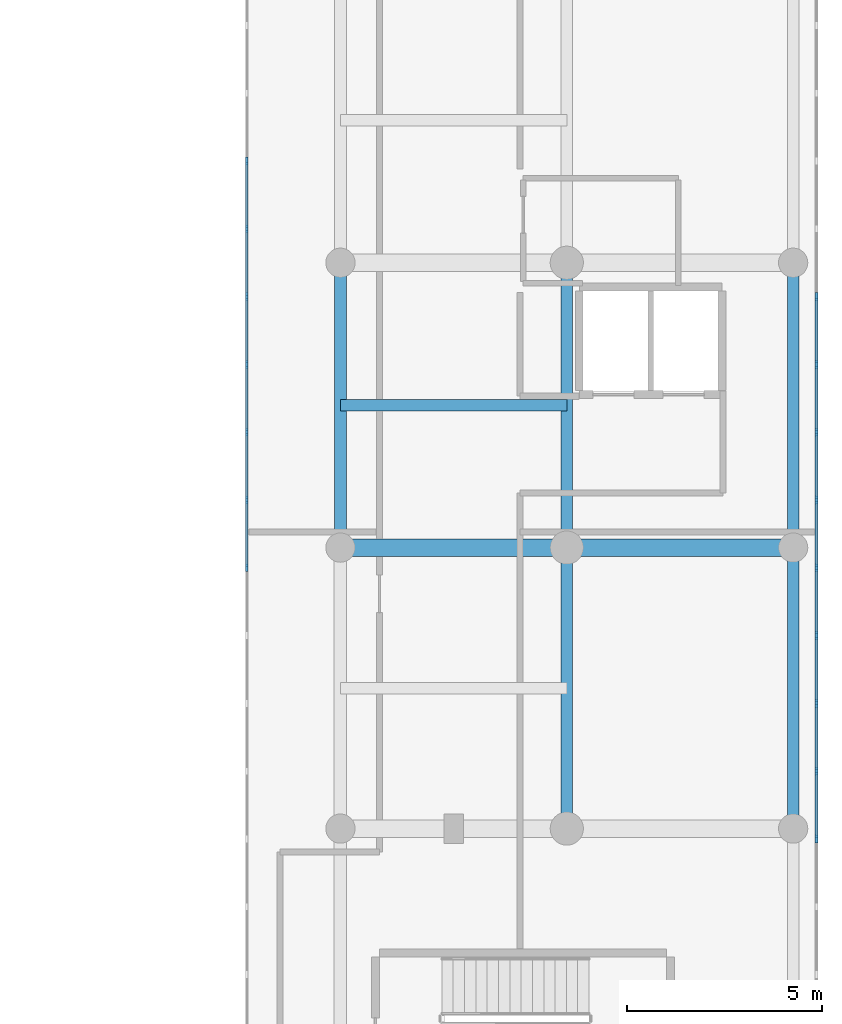
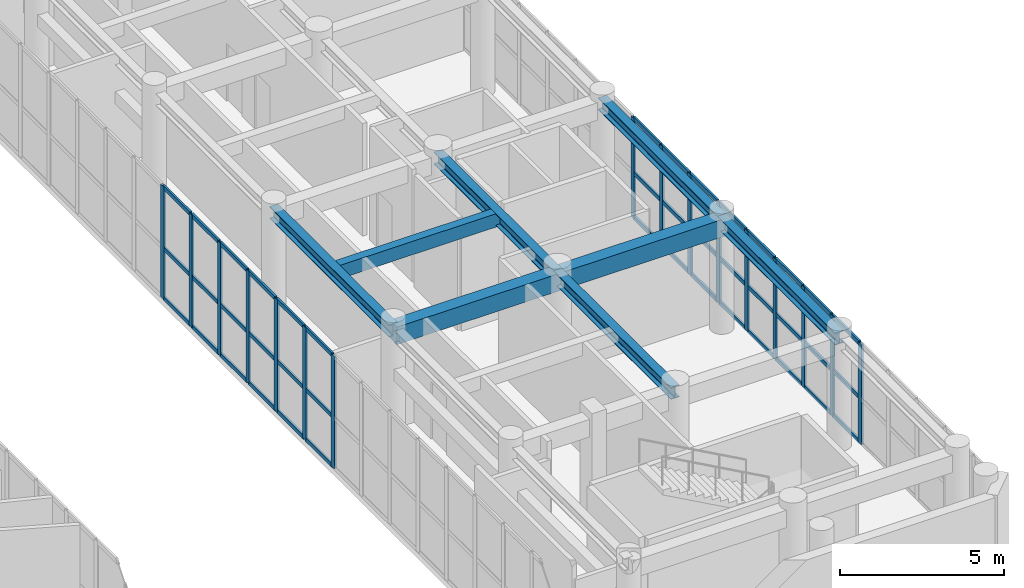
# One storey, part 7 of 26: 58 members, 8 beams, 2 elements without a shape of their own.
"""IFC4 building model written with IfcOpenShell, lengths in metres."""

from ifc_helpers import new_model, si_unit, direction, frame, origin, origin_with_axes, origin_2d, place, context, subcontext, project, spatial, rectangle, i_section, extrude, source, transform, mapped, material, layer, layer_set, material_profile, profile_set, type_object, element, aggregate, save


model = new_model("IFC4")

# Units and contexts
model_context = context("Model", 3, precision=1e-05, world=origin(), true_north=direction((0.0, 1.0)))
body_context = subcontext(model_context, "Body", "Model", "MODEL_VIEW")
ifc_project = project(units=[si_unit("LENGTHUNIT", "METRE"), si_unit("AREAUNIT", "SQUARE_METRE"), si_unit("VOLUMEUNIT", "CUBIC_METRE"), si_unit("PLANEANGLEUNIT", "RADIAN"), si_unit("MASSUNIT", "GRAM", prefix="KILO")], contexts=[model_context])

# Site, building, storey
site_placement = place(None, origin())
site = spatial("IfcSite", under=ifc_project, at=site_placement, CompositionType="ELEMENT")
building_placement = place(site_placement, origin())
building = spatial("IfcBuilding", under=site, at=building_placement, Name="Karkom Vertical University and Central Library", CompositionType="ELEMENT")
storey_placement = place(building_placement, frame((0.0, 0.0, 9.0)))
storey = spatial("IfcBuildingStorey", under=building, at=storey_placement, Name="L02", CompositionType="ELEMENT", Elevation=9.0)

# Beams
ifc_material_1 = material(Name="Concrete C40/50", Category="concrete")
ifc_material_profile_1 = material_profile(ifc_material_1, rectangle(XDim=0.449951171875, YDim=0.64990234375, at=origin_2d()), Name="RCB-450x650")
ifc_profile_set_1 = profile_set([ifc_material_profile_1], Name="Concrete C40/50")
beam_type_1 = type_object("IfcBeamType", Name="STR-BM-BG-4", PredefinedType="USERDEFINED", material=ifc_profile_set_1)
shared_shape_1 = source(origin_with_axes(), body_context, "Body", "SweptSolid", [
    extrude(rectangle(XDim=0.449951171875, YDim=0.64990234375, at=origin_2d()), origin(), (0.0, 0.0, 1.0), 5.7998046875),
])
beam_1_placement = place(storey_placement, frame((69.60009765625, 19.199951171875, 3.875), z_axis=(1.0, 0.0, 0.0), x_axis=(0.0, 1.0, 0.0)))
element("IfcBeam", 1, at=beam_1_placement, inside=storey, type_object=beam_type_1, Name="Level 02 Library Transverse Girder 3.1", ObjectType="GIRDER", PredefinedType="USERDEFINED", context=body_context, shape_type="MappedRepresentation", body=[
    mapped(shared_shape_1, transform((0.0, 0.0, 0.0), scale=1.0)),
])
shared_shape_2 = source(origin_with_axes(), body_context, "Body", "SweptSolid", [
    extrude(rectangle(XDim=0.449951171875, YDim=0.64990234375, at=origin_2d()), origin(), (0.0, 0.0, 1.0), 5.800048828125),
])
beam_2_placement = place(storey_placement, frame((75.39990234375, 19.199951171875, 3.875), z_axis=(1.0, 0.0, 0.0), x_axis=(0.0, 1.0, 0.0)))
element("IfcBeam", 2, at=beam_2_placement, inside=storey, type_object=beam_type_1, Name="Level 02 Library Transverse Girder 3.2", ObjectType="GIRDER", PredefinedType="USERDEFINED", context=body_context, shape_type="MappedRepresentation", body=[
    mapped(shared_shape_2, transform((0.0, 0.0, 0.0), scale=1.0)),
])
ifc_material_2 = material(Name="Steel S355", Category="steel")
ifc_material_profile_2 = material_profile(ifc_material_2, i_section(OverallWidth=0.300048828125, OverallDepth=0.449951171875, WebThickness=0.013916015625, FlangeThickness=0.02587890625, FilletRadius=0.027099609375, at=origin_2d()), Name="HE 450 B")
ifc_profile_set_2 = profile_set([ifc_material_profile_2], Name="Steel S355")
beam_type_2 = type_object("IfcBeamType", Name="STR-BM-SB-HE450", PredefinedType="BEAM", material=ifc_profile_set_2)
shared_shape_3 = source(origin_with_axes(), body_context, "Body", "SweptSolid", [
    extrude(i_section(OverallWidth=0.300048828125, OverallDepth=0.449951171875, WebThickness=0.013916015625, FlangeThickness=0.02587890625, FilletRadius=0.027099609375, at=origin_2d()), origin(), (0.0, 0.0, 1.0), 7.199951171875),
])
for number, where, z_axis, x_axis, name in (
    (3, (75.39990234375, 12.0, 3.97509765625), (0.0, 1.0, 0.0), (-1.0, 0.0, 0.0), "Level 02 Library Longitudinal Beam 2.2"),
    (4, (81.199951171875, 12.0, 3.97509765625), (0.0, 1.0, 0.0), (-1.0, 0.0, 0.0), "Level 02 Library Longitudinal Beam 3.2"),
):
    element("IfcBeam", number, at=place(storey_placement, frame(where, z_axis=z_axis, x_axis=x_axis)), inside=storey, type_object=beam_type_2, Name=name, PredefinedType="BEAM", context=body_context, shape_type="MappedRepresentation", body=[
        mapped(shared_shape_3, transform((0.0, 0.0, 0.0), scale=1.0)),
    ])
shared_shape_4 = source(origin_with_axes(), body_context, "Body", "SweptSolid", [
    extrude(i_section(OverallWidth=0.300048828125, OverallDepth=0.449951171875, WebThickness=0.013916015625, FlangeThickness=0.02587890625, FilletRadius=0.027099609375, at=origin_2d()), origin(), (0.0, 0.0, 1.0), 7.300048828125),
])
for number, where, z_axis, x_axis, name in (
    (5, (69.60009765625, 19.199951171875, 3.97509765625), (0.0, 1.0, 0.0), (-1.0, 0.0, 0.0), "Level 02 Library Longitudinal Beam 1.3"),
    (6, (75.39990234375, 19.199951171875, 3.97509765625), (0.0, 1.0, 0.0), (-1.0, 0.0, 0.0), "Level 02 Library Longitudinal Beam 2.3"),
    (7, (81.199951171875, 19.199951171875, 3.97509765625), (0.0, 1.0, 0.0), (-1.0, 0.0, 0.0), "Level 02 Library Longitudinal Beam 3.3"),
):
    element("IfcBeam", number, at=place(storey_placement, frame(where, z_axis=z_axis, x_axis=x_axis)), inside=storey, type_object=beam_type_2, Name=name, PredefinedType="BEAM", context=body_context, shape_type="MappedRepresentation", body=[
        mapped(shared_shape_4, transform((0.0, 0.0, 0.0), scale=1.0)),
    ])
ifc_material_profile_3 = material_profile(ifc_material_1, rectangle(XDim=0.300048828125, YDim=0.5, at=origin_2d()), Name="RCJ-300x500")
ifc_profile_set_3 = profile_set([ifc_material_profile_3], Name="Concrete C40/50")
beam_type_3 = type_object("IfcBeamType", Name="STR-BM-JS-1", PredefinedType="JOIST", material=ifc_profile_set_3)
shared_shape_5 = source(origin_with_axes(), body_context, "Body", "SweptSolid", [
    extrude(rectangle(XDim=0.300048828125, YDim=0.5, at=origin_2d()), origin(), (0.0, 0.0, 1.0), 5.7998046875),
])
beam_3_placement = place(storey_placement, frame((69.60009765625, 22.85009765625, 3.949951171875), z_axis=(1.0, 0.0, 0.0), x_axis=(0.0, 1.0, 0.0)))
element("IfcBeam", 8, at=beam_3_placement, inside=storey, type_object=beam_type_3, Name="Level 02 Library Reading Coffered Joist 3", PredefinedType="JOIST", context=body_context, shape_type="MappedRepresentation", body=[
    mapped(shared_shape_5, transform((0.0, 0.0, 0.0), scale=1.0)),
])

# Curtain wall, members
ifc_material_3 = material(Name="Aluminium curtain-wall framing and low-E IGU", Category="aluminium")
ifc_layer = layer(ifc_material_3, 0.199951171875)
ifc_layer_set = layer_set([ifc_layer], Name="Aluminium curtain-wall framing and low-E IGU")
curtain_wall_type = type_object("IfcCurtainWallType", Name="ENV-CW-1", PredefinedType="USERDEFINED", material=ifc_layer_set)
curtain_wall_1_placement = place(storey_placement, origin())
curtain_wall_1 = element("IfcCurtainWall", 9, at=curtain_wall_1_placement, inside=storey, type_object=curtain_wall_type, Name="Level 02 CW-1 Curtain Wall Level 02-CW-1-LIB-3", ObjectType="STICK MULLION GLAZING", PredefinedType="USERDEFINED")
ifc_material_4 = material(Name="Anodised Aluminium 6063-T6", Category="aluminium")
ifc_material_profile_4 = material_profile(ifc_material_4, rectangle(XDim=0.070068359375, YDim=0.199951171875, at=origin_2d()), Name="ALU-M70x200")
ifc_profile_set_4 = profile_set([ifc_material_profile_4], Name="Anodised Aluminium 6063-T6")
member_type_1 = type_object("IfcMemberType", Name="ENV-MEM-ALU-M70x200", PredefinedType="MULLION", material=ifc_profile_set_4)
shared_shape_6 = source(origin_with_axes(), body_context, "Body", "SweptSolid", [
    extrude(rectangle(XDim=0.070068359375, YDim=0.199951171875, at=origin_2d()), origin(), (0.0, 0.0, 1.0), 3.75),
])
member_1_placement = place(storey_placement, frame((81.800048828125, 11.735107421875, 0.0), z_axis=(0.0, 0.0, 1.0), x_axis=(-1.0, 0.0, 0.0)))
member_1 = element("IfcMember", 10, at=member_1_placement, type_object=member_type_1, Name="CW-1 mullion 6", PredefinedType="MULLION", context=body_context, shape_type="MappedRepresentation", body=[
    mapped(shared_shape_6, transform((0.0, 0.0, 0.0), scale=1.0)),
])
member_2_placement = place(storey_placement, frame((81.800048828125, 13.47216796875, 0.0), z_axis=(0.0, 0.0, 1.0), x_axis=(-1.0, 0.0, 0.0)))
member_2 = element("IfcMember", 11, at=member_2_placement, type_object=member_type_1, Name="CW-1 mullion 7", PredefinedType="MULLION", context=body_context, shape_type="MappedRepresentation", body=[
    mapped(shared_shape_6, transform((0.0, 0.0, 0.0), scale=1.0)),
])
member_3_placement = place(storey_placement, frame((81.800048828125, 15.209228515625, 0.0), z_axis=(0.0, 0.0, 1.0), x_axis=(-1.0, 0.0, 0.0)))
member_3 = element("IfcMember", 12, at=member_3_placement, type_object=member_type_1, Name="CW-1 mullion 8", PredefinedType="MULLION", context=body_context, shape_type="MappedRepresentation", body=[
    mapped(shared_shape_6, transform((0.0, 0.0, 0.0), scale=1.0)),
])
member_4_placement = place(storey_placement, frame((81.800048828125, 16.9462890625, 0.0), z_axis=(0.0, 0.0, 1.0), x_axis=(-1.0, 0.0, 0.0)))
member_4 = element("IfcMember", 13, at=member_4_placement, type_object=member_type_1, Name="CW-1 mullion 9", PredefinedType="MULLION", context=body_context, shape_type="MappedRepresentation", body=[
    mapped(shared_shape_6, transform((0.0, 0.0, 0.0), scale=1.0)),
])
member_5_placement = place(storey_placement, frame((81.800048828125, 18.683349609375, 0.0), z_axis=(0.0, 0.0, 1.0), x_axis=(-1.0, 0.0, 0.0)))
member_5 = element("IfcMember", 14, at=member_5_placement, type_object=member_type_1, Name="CW-1 mullion 10", PredefinedType="MULLION", context=body_context, shape_type="MappedRepresentation", body=[
    mapped(shared_shape_6, transform((0.0, 0.0, 0.0), scale=1.0)),
])
member_6_placement = place(storey_placement, frame((81.800048828125, 20.42041015625, 0.0), z_axis=(0.0, 0.0, 1.0), x_axis=(-1.0, 0.0, 0.0)))
member_6 = element("IfcMember", 15, at=member_6_placement, type_object=member_type_1, Name="CW-1 mullion 11", PredefinedType="MULLION", context=body_context, shape_type="MappedRepresentation", body=[
    mapped(shared_shape_6, transform((0.0, 0.0, 0.0), scale=1.0)),
])
member_7_placement = place(storey_placement, frame((81.800048828125, 22.157470703125, 0.0), z_axis=(0.0, 0.0, 1.0), x_axis=(-1.0, 0.0, 0.0)))
member_7 = element("IfcMember", 16, at=member_7_placement, type_object=member_type_1, Name="CW-1 mullion 12", PredefinedType="MULLION", context=body_context, shape_type="MappedRepresentation", body=[
    mapped(shared_shape_6, transform((0.0, 0.0, 0.0), scale=1.0)),
])
member_8_placement = place(storey_placement, frame((81.800048828125, 23.89453125, 0.0), z_axis=(0.0, 0.0, 1.0), x_axis=(-1.0, 0.0, 0.0)))
member_8 = element("IfcMember", 17, at=member_8_placement, type_object=member_type_1, Name="CW-1 mullion 13", PredefinedType="MULLION", context=body_context, shape_type="MappedRepresentation", body=[
    mapped(shared_shape_6, transform((0.0, 0.0, 0.0), scale=1.0)),
])
member_9_placement = place(storey_placement, frame((81.800048828125, 25.631591796875, 0.0), z_axis=(0.0, 0.0, 1.0), x_axis=(-1.0, 0.0, 0.0)))
member_9 = element("IfcMember", 18, at=member_9_placement, type_object=member_type_1, Name="CW-1 mullion 14", PredefinedType="MULLION", context=body_context, shape_type="MappedRepresentation", body=[
    mapped(shared_shape_6, transform((0.0, 0.0, 0.0), scale=1.0)),
])

curtain_wall_2_placement = place(storey_placement, origin())
curtain_wall_2 = element("IfcCurtainWall", 19, at=curtain_wall_2_placement, inside=storey, type_object=curtain_wall_type, Name="Level 02 CW-1 Curtain Wall Level 02-CW-1-LIB-7", ObjectType="STICK MULLION GLAZING", PredefinedType="USERDEFINED")
shared_shape_7 = source(origin_with_axes(), body_context, "Body", "SweptSolid", [
    extrude(rectangle(XDim=0.070068359375, YDim=0.199951171875, at=origin_2d()), origin(), (0.0, 0.0, 1.0), 4.199951171875),
])
member_10_placement = place(storey_placement, frame((67.199951171875, 29.10546875, 0.0), z_axis=(0.0, 0.0, 1.0), x_axis=(1.0, 0.0, 0.0)))
member_10 = element("IfcMember", 20, at=member_10_placement, type_object=member_type_1, Name="CW-1 mullion 13", PredefinedType="MULLION", context=body_context, shape_type="MappedRepresentation", body=[
    mapped(shared_shape_7, transform((0.0, 0.0, 0.0), scale=1.0)),
])
member_11_placement = place(storey_placement, frame((67.199951171875, 27.368408203125, 0.0), z_axis=(0.0, 0.0, 1.0), x_axis=(1.0, 0.0, 0.0)))
member_11 = element("IfcMember", 21, at=member_11_placement, type_object=member_type_1, Name="CW-1 mullion 14", PredefinedType="MULLION", context=body_context, shape_type="MappedRepresentation", body=[
    mapped(shared_shape_7, transform((0.0, 0.0, 0.0), scale=1.0)),
])
member_12_placement = place(storey_placement, frame((67.199951171875, 25.631591796875, 0.0), z_axis=(0.0, 0.0, 1.0), x_axis=(1.0, 0.0, 0.0)))
member_12 = element("IfcMember", 22, at=member_12_placement, type_object=member_type_1, Name="CW-1 mullion 15", PredefinedType="MULLION", context=body_context, shape_type="MappedRepresentation", body=[
    mapped(shared_shape_7, transform((0.0, 0.0, 0.0), scale=1.0)),
])
member_13_placement = place(storey_placement, frame((67.199951171875, 23.89453125, 0.0), z_axis=(0.0, 0.0, 1.0), x_axis=(1.0, 0.0, 0.0)))
member_13 = element("IfcMember", 23, at=member_13_placement, type_object=member_type_1, Name="CW-1 mullion 16", PredefinedType="MULLION", context=body_context, shape_type="MappedRepresentation", body=[
    mapped(shared_shape_7, transform((0.0, 0.0, 0.0), scale=1.0)),
])
member_14_placement = place(storey_placement, frame((67.199951171875, 22.157470703125, 0.0), z_axis=(0.0, 0.0, 1.0), x_axis=(1.0, 0.0, 0.0)))
member_14 = element("IfcMember", 24, at=member_14_placement, type_object=member_type_1, Name="CW-1 mullion 17", PredefinedType="MULLION", context=body_context, shape_type="MappedRepresentation", body=[
    mapped(shared_shape_7, transform((0.0, 0.0, 0.0), scale=1.0)),
])
member_15_placement = place(storey_placement, frame((67.199951171875, 20.42041015625, 0.0), z_axis=(0.0, 0.0, 1.0), x_axis=(1.0, 0.0, 0.0)))
member_15 = element("IfcMember", 25, at=member_15_placement, type_object=member_type_1, Name="CW-1 mullion 18", PredefinedType="MULLION", context=body_context, shape_type="MappedRepresentation", body=[
    mapped(shared_shape_7, transform((0.0, 0.0, 0.0), scale=1.0)),
])
member_16_placement = place(storey_placement, frame((67.199951171875, 18.683349609375, 0.0), z_axis=(0.0, 0.0, 1.0), x_axis=(1.0, 0.0, 0.0)))
member_16 = element("IfcMember", 26, at=member_16_placement, type_object=member_type_1, Name="CW-1 mullion 19", PredefinedType="MULLION", context=body_context, shape_type="MappedRepresentation", body=[
    mapped(shared_shape_7, transform((0.0, 0.0, 0.0), scale=1.0)),
])

# Member
ifc_material_profile_5 = material_profile(ifc_material_4, rectangle(XDim=0.070068359375, YDim=0.14990234375, at=origin_2d()), Name="ALU-T70x150")
ifc_profile_set_5 = profile_set([ifc_material_profile_5], Name="Anodised Aluminium 6063-T6")
member_type_2 = type_object("IfcMemberType", Name="ENV-MEM-ALU-T70x150", PredefinedType="USERDEFINED", material=ifc_profile_set_5)
shared_shape_8 = source(origin_with_axes(), body_context, "Body", "SweptSolid", [
    extrude(rectangle(XDim=0.070068359375, YDim=0.14990234375, at=origin_2d()), origin(), (0.0, 0.0, 1.0), 1.6669921875),
])
member_17_placement = place(storey_placement, frame((81.800048828125, 11.770263671875, 0.034912109375), z_axis=(0.0, 1.0, 0.0), x_axis=(-1.0, 0.0, 0.0)))
member_17 = element("IfcMember", 27, at=member_17_placement, type_object=member_type_2, Name="CW-1 transom 6.1", ObjectType="TRANSOM", PredefinedType="USERDEFINED", context=body_context, shape_type="MappedRepresentation", body=[
    mapped(shared_shape_8, transform((0.0, 0.0, 0.0), scale=1.0)),
])

member_18_placement = place(storey_placement, frame((81.800048828125, 11.770263671875, 1.6875), z_axis=(0.0, 1.0, 0.0), x_axis=(-1.0, 0.0, 0.0)))
member_18 = element("IfcMember", 28, at=member_18_placement, type_object=member_type_2, Name="CW-1 transom 6.2", ObjectType="TRANSOM", PredefinedType="USERDEFINED", context=body_context, shape_type="MappedRepresentation", body=[
    mapped(shared_shape_8, transform((0.0, 0.0, 0.0), scale=1.0)),
])

member_19_placement = place(storey_placement, frame((81.800048828125, 11.770263671875, 3.715087890625), z_axis=(0.0, 1.0, 0.0), x_axis=(-1.0, 0.0, 0.0)))
member_19 = element("IfcMember", 29, at=member_19_placement, type_object=member_type_2, Name="CW-1 transom 6.3", ObjectType="TRANSOM", PredefinedType="USERDEFINED", context=body_context, shape_type="MappedRepresentation", body=[
    mapped(shared_shape_8, transform((0.0, 0.0, 0.0), scale=1.0)),
])

member_20_placement = place(storey_placement, frame((81.800048828125, 13.50732421875, 0.034912109375), z_axis=(0.0, 1.0, 0.0), x_axis=(-1.0, 0.0, 0.0)))
member_20 = element("IfcMember", 30, at=member_20_placement, type_object=member_type_2, Name="CW-1 transom 7.1", ObjectType="TRANSOM", PredefinedType="USERDEFINED", context=body_context, shape_type="MappedRepresentation", body=[
    mapped(shared_shape_8, transform((0.0, 0.0, 0.0), scale=1.0)),
])

member_21_placement = place(storey_placement, frame((81.800048828125, 13.50732421875, 1.6875), z_axis=(0.0, 1.0, 0.0), x_axis=(-1.0, 0.0, 0.0)))
member_21 = element("IfcMember", 31, at=member_21_placement, type_object=member_type_2, Name="CW-1 transom 7.2", ObjectType="TRANSOM", PredefinedType="USERDEFINED", context=body_context, shape_type="MappedRepresentation", body=[
    mapped(shared_shape_8, transform((0.0, 0.0, 0.0), scale=1.0)),
])

member_22_placement = place(storey_placement, frame((81.800048828125, 13.50732421875, 3.715087890625), z_axis=(0.0, 1.0, 0.0), x_axis=(-1.0, 0.0, 0.0)))
member_22 = element("IfcMember", 32, at=member_22_placement, type_object=member_type_2, Name="CW-1 transom 7.3", ObjectType="TRANSOM", PredefinedType="USERDEFINED", context=body_context, shape_type="MappedRepresentation", body=[
    mapped(shared_shape_8, transform((0.0, 0.0, 0.0), scale=1.0)),
])

member_23_placement = place(storey_placement, frame((81.800048828125, 18.71826171875, 0.034912109375), z_axis=(0.0, 1.0, 0.0), x_axis=(-1.0, 0.0, 0.0)))
member_23 = element("IfcMember", 33, at=member_23_placement, type_object=member_type_2, Name="CW-1 transom 10.1", ObjectType="TRANSOM", PredefinedType="USERDEFINED", context=body_context, shape_type="MappedRepresentation", body=[
    mapped(shared_shape_8, transform((0.0, 0.0, 0.0), scale=1.0)),
])

member_24_placement = place(storey_placement, frame((81.800048828125, 18.71826171875, 1.6875), z_axis=(0.0, 1.0, 0.0), x_axis=(-1.0, 0.0, 0.0)))
member_24 = element("IfcMember", 34, at=member_24_placement, type_object=member_type_2, Name="CW-1 transom 10.2", ObjectType="TRANSOM", PredefinedType="USERDEFINED", context=body_context, shape_type="MappedRepresentation", body=[
    mapped(shared_shape_8, transform((0.0, 0.0, 0.0), scale=1.0)),
])

member_25_placement = place(storey_placement, frame((81.800048828125, 18.71826171875, 3.715087890625), z_axis=(0.0, 1.0, 0.0), x_axis=(-1.0, 0.0, 0.0)))
member_25 = element("IfcMember", 35, at=member_25_placement, type_object=member_type_2, Name="CW-1 transom 10.3", ObjectType="TRANSOM", PredefinedType="USERDEFINED", context=body_context, shape_type="MappedRepresentation", body=[
    mapped(shared_shape_8, transform((0.0, 0.0, 0.0), scale=1.0)),
])

member_26_placement = place(storey_placement, frame((81.800048828125, 20.455322265625, 0.034912109375), z_axis=(0.0, 1.0, 0.0), x_axis=(-1.0, 0.0, 0.0)))
member_26 = element("IfcMember", 36, at=member_26_placement, type_object=member_type_2, Name="CW-1 transom 11.1", ObjectType="TRANSOM", PredefinedType="USERDEFINED", context=body_context, shape_type="MappedRepresentation", body=[
    mapped(shared_shape_8, transform((0.0, 0.0, 0.0), scale=1.0)),
])

member_27_placement = place(storey_placement, frame((81.800048828125, 20.455322265625, 1.6875), z_axis=(0.0, 1.0, 0.0), x_axis=(-1.0, 0.0, 0.0)))
member_27 = element("IfcMember", 37, at=member_27_placement, type_object=member_type_2, Name="CW-1 transom 11.2", ObjectType="TRANSOM", PredefinedType="USERDEFINED", context=body_context, shape_type="MappedRepresentation", body=[
    mapped(shared_shape_8, transform((0.0, 0.0, 0.0), scale=1.0)),
])

member_28_placement = place(storey_placement, frame((81.800048828125, 20.455322265625, 3.715087890625), z_axis=(0.0, 1.0, 0.0), x_axis=(-1.0, 0.0, 0.0)))
member_28 = element("IfcMember", 38, at=member_28_placement, type_object=member_type_2, Name="CW-1 transom 11.3", ObjectType="TRANSOM", PredefinedType="USERDEFINED", context=body_context, shape_type="MappedRepresentation", body=[
    mapped(shared_shape_8, transform((0.0, 0.0, 0.0), scale=1.0)),
])

member_29_placement = place(storey_placement, frame((81.800048828125, 22.1923828125, 0.034912109375), z_axis=(0.0, 1.0, 0.0), x_axis=(-1.0, 0.0, 0.0)))
member_29 = element("IfcMember", 39, at=member_29_placement, type_object=member_type_2, Name="CW-1 transom 12.1", ObjectType="TRANSOM", PredefinedType="USERDEFINED", context=body_context, shape_type="MappedRepresentation", body=[
    mapped(shared_shape_8, transform((0.0, 0.0, 0.0), scale=1.0)),
])

member_30_placement = place(storey_placement, frame((81.800048828125, 22.1923828125, 1.6875), z_axis=(0.0, 1.0, 0.0), x_axis=(-1.0, 0.0, 0.0)))
member_30 = element("IfcMember", 40, at=member_30_placement, type_object=member_type_2, Name="CW-1 transom 12.2", ObjectType="TRANSOM", PredefinedType="USERDEFINED", context=body_context, shape_type="MappedRepresentation", body=[
    mapped(shared_shape_8, transform((0.0, 0.0, 0.0), scale=1.0)),
])

member_31_placement = place(storey_placement, frame((81.800048828125, 22.1923828125, 3.715087890625), z_axis=(0.0, 1.0, 0.0), x_axis=(-1.0, 0.0, 0.0)))
member_31 = element("IfcMember", 41, at=member_31_placement, type_object=member_type_2, Name="CW-1 transom 12.3", ObjectType="TRANSOM", PredefinedType="USERDEFINED", context=body_context, shape_type="MappedRepresentation", body=[
    mapped(shared_shape_8, transform((0.0, 0.0, 0.0), scale=1.0)),
])

member_32_placement = place(storey_placement, frame((81.800048828125, 23.929443359375, 0.034912109375), z_axis=(0.0, 1.0, 0.0), x_axis=(-1.0, 0.0, 0.0)))
member_32 = element("IfcMember", 42, at=member_32_placement, type_object=member_type_2, Name="CW-1 transom 13.1", ObjectType="TRANSOM", PredefinedType="USERDEFINED", context=body_context, shape_type="MappedRepresentation", body=[
    mapped(shared_shape_8, transform((0.0, 0.0, 0.0), scale=1.0)),
])

member_33_placement = place(storey_placement, frame((81.800048828125, 23.929443359375, 1.6875), z_axis=(0.0, 1.0, 0.0), x_axis=(-1.0, 0.0, 0.0)))
member_33 = element("IfcMember", 43, at=member_33_placement, type_object=member_type_2, Name="CW-1 transom 13.2", ObjectType="TRANSOM", PredefinedType="USERDEFINED", context=body_context, shape_type="MappedRepresentation", body=[
    mapped(shared_shape_8, transform((0.0, 0.0, 0.0), scale=1.0)),
])

member_34_placement = place(storey_placement, frame((81.800048828125, 23.929443359375, 3.715087890625), z_axis=(0.0, 1.0, 0.0), x_axis=(-1.0, 0.0, 0.0)))
member_34 = element("IfcMember", 44, at=member_34_placement, type_object=member_type_2, Name="CW-1 transom 13.3", ObjectType="TRANSOM", PredefinedType="USERDEFINED", context=body_context, shape_type="MappedRepresentation", body=[
    mapped(shared_shape_8, transform((0.0, 0.0, 0.0), scale=1.0)),
])

member_35_placement = place(storey_placement, frame((67.199951171875, 29.070556640625, 0.034912109375), z_axis=(0.0, -1.0, 0.0), x_axis=(1.0, 0.0, 0.0)))
member_35 = element("IfcMember", 45, at=member_35_placement, type_object=member_type_2, Name="CW-1 transom 13.1", ObjectType="TRANSOM", PredefinedType="USERDEFINED", context=body_context, shape_type="MappedRepresentation", body=[
    mapped(shared_shape_8, transform((0.0, 0.0, 0.0), scale=1.0)),
])

member_36_placement = place(storey_placement, frame((67.199951171875, 29.070556640625, 1.889892578125), z_axis=(0.0, -1.0, 0.0), x_axis=(1.0, 0.0, 0.0)))
member_36 = element("IfcMember", 46, at=member_36_placement, type_object=member_type_2, Name="CW-1 transom 13.2", ObjectType="TRANSOM", PredefinedType="USERDEFINED", context=body_context, shape_type="MappedRepresentation", body=[
    mapped(shared_shape_8, transform((0.0, 0.0, 0.0), scale=1.0)),
])

member_37_placement = place(storey_placement, frame((67.199951171875, 29.070556640625, 4.1650390625), z_axis=(0.0, -1.0, 0.0), x_axis=(1.0, 0.0, 0.0)))
member_37 = element("IfcMember", 47, at=member_37_placement, type_object=member_type_2, Name="CW-1 transom 13.3", ObjectType="TRANSOM", PredefinedType="USERDEFINED", context=body_context, shape_type="MappedRepresentation", body=[
    mapped(shared_shape_8, transform((0.0, 0.0, 0.0), scale=1.0)),
])

member_38_placement = place(storey_placement, frame((67.199951171875, 27.33349609375, 0.034912109375), z_axis=(0.0, -1.0, 0.0), x_axis=(1.0, 0.0, 0.0)))
member_38 = element("IfcMember", 48, at=member_38_placement, type_object=member_type_2, Name="CW-1 transom 14.1", ObjectType="TRANSOM", PredefinedType="USERDEFINED", context=body_context, shape_type="MappedRepresentation", body=[
    mapped(shared_shape_8, transform((0.0, 0.0, 0.0), scale=1.0)),
])

member_39_placement = place(storey_placement, frame((67.199951171875, 27.33349609375, 1.889892578125), z_axis=(0.0, -1.0, 0.0), x_axis=(1.0, 0.0, 0.0)))
member_39 = element("IfcMember", 49, at=member_39_placement, type_object=member_type_2, Name="CW-1 transom 14.2", ObjectType="TRANSOM", PredefinedType="USERDEFINED", context=body_context, shape_type="MappedRepresentation", body=[
    mapped(shared_shape_8, transform((0.0, 0.0, 0.0), scale=1.0)),
])

member_40_placement = place(storey_placement, frame((67.199951171875, 27.33349609375, 4.1650390625), z_axis=(0.0, -1.0, 0.0), x_axis=(1.0, 0.0, 0.0)))
member_40 = element("IfcMember", 50, at=member_40_placement, type_object=member_type_2, Name="CW-1 transom 14.3", ObjectType="TRANSOM", PredefinedType="USERDEFINED", context=body_context, shape_type="MappedRepresentation", body=[
    mapped(shared_shape_8, transform((0.0, 0.0, 0.0), scale=1.0)),
])

member_41_placement = place(storey_placement, frame((67.199951171875, 25.596435546875, 0.034912109375), z_axis=(0.0, -1.0, 0.0), x_axis=(1.0, 0.0, 0.0)))
member_41 = element("IfcMember", 51, at=member_41_placement, type_object=member_type_2, Name="CW-1 transom 15.1", ObjectType="TRANSOM", PredefinedType="USERDEFINED", context=body_context, shape_type="MappedRepresentation", body=[
    mapped(shared_shape_8, transform((0.0, 0.0, 0.0), scale=1.0)),
])

member_42_placement = place(storey_placement, frame((67.199951171875, 25.596435546875, 1.889892578125), z_axis=(0.0, -1.0, 0.0), x_axis=(1.0, 0.0, 0.0)))
member_42 = element("IfcMember", 52, at=member_42_placement, type_object=member_type_2, Name="CW-1 transom 15.2", ObjectType="TRANSOM", PredefinedType="USERDEFINED", context=body_context, shape_type="MappedRepresentation", body=[
    mapped(shared_shape_8, transform((0.0, 0.0, 0.0), scale=1.0)),
])

member_43_placement = place(storey_placement, frame((67.199951171875, 25.596435546875, 4.1650390625), z_axis=(0.0, -1.0, 0.0), x_axis=(1.0, 0.0, 0.0)))
member_43 = element("IfcMember", 53, at=member_43_placement, type_object=member_type_2, Name="CW-1 transom 15.3", ObjectType="TRANSOM", PredefinedType="USERDEFINED", context=body_context, shape_type="MappedRepresentation", body=[
    mapped(shared_shape_8, transform((0.0, 0.0, 0.0), scale=1.0)),
])

member_44_placement = place(storey_placement, frame((67.199951171875, 23.859375, 0.034912109375), z_axis=(0.0, -1.0, 0.0), x_axis=(1.0, 0.0, 0.0)))
member_44 = element("IfcMember", 54, at=member_44_placement, type_object=member_type_2, Name="CW-1 transom 16.1", ObjectType="TRANSOM", PredefinedType="USERDEFINED", context=body_context, shape_type="MappedRepresentation", body=[
    mapped(shared_shape_8, transform((0.0, 0.0, 0.0), scale=1.0)),
])

member_45_placement = place(storey_placement, frame((67.199951171875, 23.859375, 1.889892578125), z_axis=(0.0, -1.0, 0.0), x_axis=(1.0, 0.0, 0.0)))
member_45 = element("IfcMember", 55, at=member_45_placement, type_object=member_type_2, Name="CW-1 transom 16.2", ObjectType="TRANSOM", PredefinedType="USERDEFINED", context=body_context, shape_type="MappedRepresentation", body=[
    mapped(shared_shape_8, transform((0.0, 0.0, 0.0), scale=1.0)),
])

member_46_placement = place(storey_placement, frame((67.199951171875, 23.859375, 4.1650390625), z_axis=(0.0, -1.0, 0.0), x_axis=(1.0, 0.0, 0.0)))
member_46 = element("IfcMember", 56, at=member_46_placement, type_object=member_type_2, Name="CW-1 transom 16.3", ObjectType="TRANSOM", PredefinedType="USERDEFINED", context=body_context, shape_type="MappedRepresentation", body=[
    mapped(shared_shape_8, transform((0.0, 0.0, 0.0), scale=1.0)),
])

member_47_placement = place(storey_placement, frame((67.199951171875, 22.122314453125, 0.034912109375), z_axis=(0.0, -1.0, 0.0), x_axis=(1.0, 0.0, 0.0)))
member_47 = element("IfcMember", 57, at=member_47_placement, type_object=member_type_2, Name="CW-1 transom 17.1", ObjectType="TRANSOM", PredefinedType="USERDEFINED", context=body_context, shape_type="MappedRepresentation", body=[
    mapped(shared_shape_8, transform((0.0, 0.0, 0.0), scale=1.0)),
])

member_48_placement = place(storey_placement, frame((67.199951171875, 22.122314453125, 1.889892578125), z_axis=(0.0, -1.0, 0.0), x_axis=(1.0, 0.0, 0.0)))
member_48 = element("IfcMember", 58, at=member_48_placement, type_object=member_type_2, Name="CW-1 transom 17.2", ObjectType="TRANSOM", PredefinedType="USERDEFINED", context=body_context, shape_type="MappedRepresentation", body=[
    mapped(shared_shape_8, transform((0.0, 0.0, 0.0), scale=1.0)),
])

member_49_placement = place(storey_placement, frame((67.199951171875, 22.122314453125, 4.1650390625), z_axis=(0.0, -1.0, 0.0), x_axis=(1.0, 0.0, 0.0)))
member_49 = element("IfcMember", 59, at=member_49_placement, type_object=member_type_2, Name="CW-1 transom 17.3", ObjectType="TRANSOM", PredefinedType="USERDEFINED", context=body_context, shape_type="MappedRepresentation", body=[
    mapped(shared_shape_8, transform((0.0, 0.0, 0.0), scale=1.0)),
])

member_50_placement = place(storey_placement, frame((67.199951171875, 20.38525390625, 0.034912109375), z_axis=(0.0, -1.0, 0.0), x_axis=(1.0, 0.0, 0.0)))
member_50 = element("IfcMember", 60, at=member_50_placement, type_object=member_type_2, Name="CW-1 transom 18.1", ObjectType="TRANSOM", PredefinedType="USERDEFINED", context=body_context, shape_type="MappedRepresentation", body=[
    mapped(shared_shape_8, transform((0.0, 0.0, 0.0), scale=1.0)),
])

member_51_placement = place(storey_placement, frame((67.199951171875, 20.38525390625, 1.889892578125), z_axis=(0.0, -1.0, 0.0), x_axis=(1.0, 0.0, 0.0)))
member_51 = element("IfcMember", 61, at=member_51_placement, type_object=member_type_2, Name="CW-1 transom 18.2", ObjectType="TRANSOM", PredefinedType="USERDEFINED", context=body_context, shape_type="MappedRepresentation", body=[
    mapped(shared_shape_8, transform((0.0, 0.0, 0.0), scale=1.0)),
])

member_52_placement = place(storey_placement, frame((67.199951171875, 20.38525390625, 4.1650390625), z_axis=(0.0, -1.0, 0.0), x_axis=(1.0, 0.0, 0.0)))
member_52 = element("IfcMember", 62, at=member_52_placement, type_object=member_type_2, Name="CW-1 transom 18.3", ObjectType="TRANSOM", PredefinedType="USERDEFINED", context=body_context, shape_type="MappedRepresentation", body=[
    mapped(shared_shape_8, transform((0.0, 0.0, 0.0), scale=1.0)),
])

aggregate(curtain_wall_2, [member_10, member_11, member_12, member_13, member_14, member_15, member_16, member_35, member_36, member_37, member_38, member_39, member_40, member_41, member_42, member_43, member_44, member_45, member_46, member_47, member_48, member_49, member_50, member_51, member_52])

shared_shape_9 = source(origin_with_axes(), body_context, "Body", "SweptSolid", [
    extrude(rectangle(XDim=0.070068359375, YDim=0.14990234375, at=origin_2d()), origin(), (0.0, 0.0, 1.0), 1.667236328125),
])
member_53_placement = place(storey_placement, frame((81.800048828125, 15.244140625, 0.034912109375), z_axis=(0.0, 1.0, 0.0), x_axis=(-1.0, 0.0, 0.0)))
member_53 = element("IfcMember", 63, at=member_53_placement, type_object=member_type_2, Name="CW-1 transom 8.1", ObjectType="TRANSOM", PredefinedType="USERDEFINED", context=body_context, shape_type="MappedRepresentation", body=[
    mapped(shared_shape_9, transform((0.0, 0.0, 0.0), scale=1.0)),
])

member_54_placement = place(storey_placement, frame((81.800048828125, 15.244140625, 1.6875), z_axis=(0.0, 1.0, 0.0), x_axis=(-1.0, 0.0, 0.0)))
member_54 = element("IfcMember", 64, at=member_54_placement, type_object=member_type_2, Name="CW-1 transom 8.2", ObjectType="TRANSOM", PredefinedType="USERDEFINED", context=body_context, shape_type="MappedRepresentation", body=[
    mapped(shared_shape_9, transform((0.0, 0.0, 0.0), scale=1.0)),
])

member_55_placement = place(storey_placement, frame((81.800048828125, 15.244140625, 3.715087890625), z_axis=(0.0, 1.0, 0.0), x_axis=(-1.0, 0.0, 0.0)))
member_55 = element("IfcMember", 65, at=member_55_placement, type_object=member_type_2, Name="CW-1 transom 8.3", ObjectType="TRANSOM", PredefinedType="USERDEFINED", context=body_context, shape_type="MappedRepresentation", body=[
    mapped(shared_shape_9, transform((0.0, 0.0, 0.0), scale=1.0)),
])

member_56_placement = place(storey_placement, frame((81.800048828125, 16.981201171875, 0.034912109375), z_axis=(0.0, 1.0, 0.0), x_axis=(-1.0, 0.0, 0.0)))
member_56 = element("IfcMember", 66, at=member_56_placement, type_object=member_type_2, Name="CW-1 transom 9.1", ObjectType="TRANSOM", PredefinedType="USERDEFINED", context=body_context, shape_type="MappedRepresentation", body=[
    mapped(shared_shape_9, transform((0.0, 0.0, 0.0), scale=1.0)),
])

member_57_placement = place(storey_placement, frame((81.800048828125, 16.981201171875, 1.6875), z_axis=(0.0, 1.0, 0.0), x_axis=(-1.0, 0.0, 0.0)))
member_57 = element("IfcMember", 67, at=member_57_placement, type_object=member_type_2, Name="CW-1 transom 9.2", ObjectType="TRANSOM", PredefinedType="USERDEFINED", context=body_context, shape_type="MappedRepresentation", body=[
    mapped(shared_shape_9, transform((0.0, 0.0, 0.0), scale=1.0)),
])

member_58_placement = place(storey_placement, frame((81.800048828125, 16.981201171875, 3.715087890625), z_axis=(0.0, 1.0, 0.0), x_axis=(-1.0, 0.0, 0.0)))
member_58 = element("IfcMember", 68, at=member_58_placement, type_object=member_type_2, Name="CW-1 transom 9.3", ObjectType="TRANSOM", PredefinedType="USERDEFINED", context=body_context, shape_type="MappedRepresentation", body=[
    mapped(shared_shape_9, transform((0.0, 0.0, 0.0), scale=1.0)),
])

aggregate(curtain_wall_1, [member_1, member_2, member_3, member_4, member_5, member_6, member_7, member_8, member_9, member_17, member_18, member_19, member_20, member_21, member_22, member_53, member_54, member_55, member_56, member_57, member_58, member_23, member_24, member_25, member_26, member_27, member_28, member_29, member_30, member_31, member_32, member_33, member_34])

save(model, "model.ifc")
